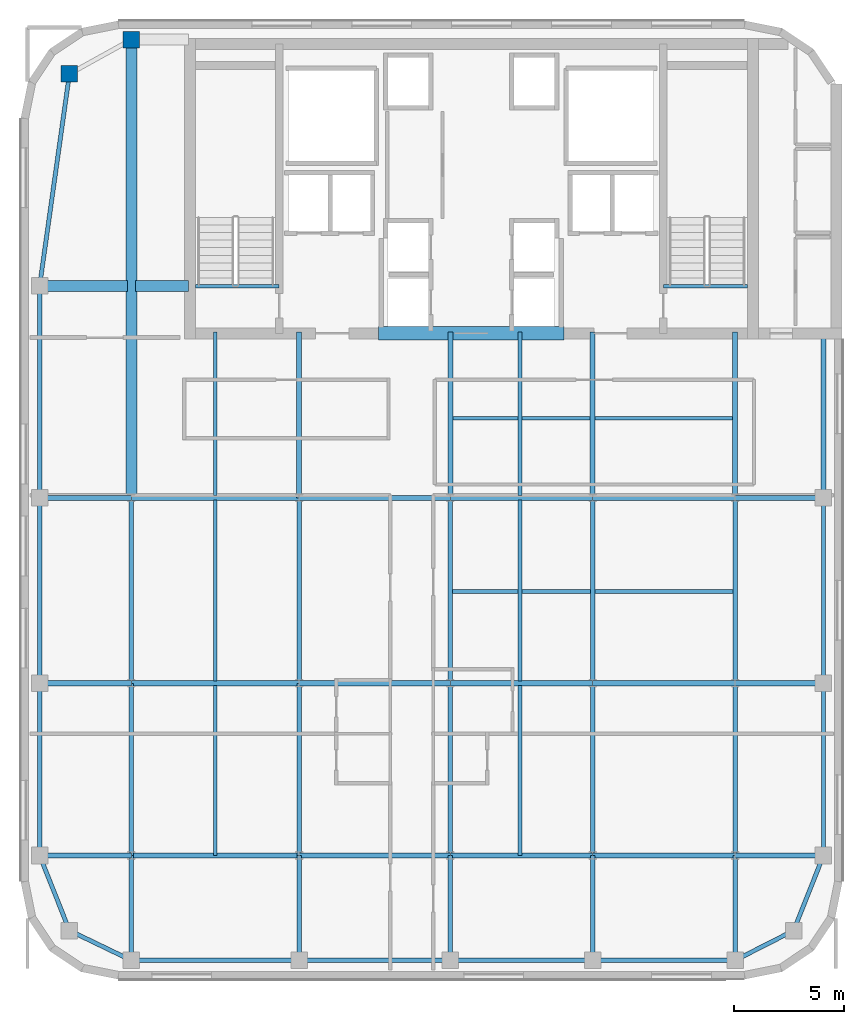
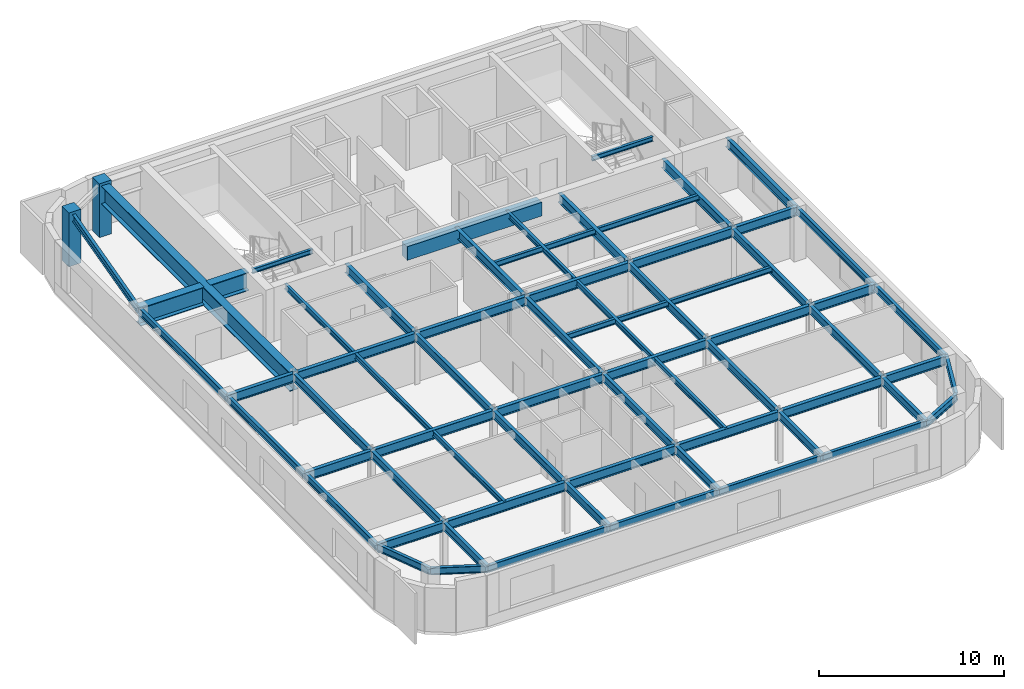
# One storey, part 2 of 10: 66 beams, 2 columns.
"""IFC4 building model written with IfcOpenShell, lengths in metres."""

from ifc_helpers import new_model, si_unit, direction, frame, origin, origin_2d, place, context, subcontext, project, spatial, rectangle, i_section, extrude, source, transform, mapped, material, material_profile, profile_set, type_object, type_shapes, element, save


model = new_model("IFC4")

# Units and contexts
model_context = context("Model", 3, precision=1e-05, world=origin(), true_north=direction((0.0, 1.0)))
body_context = subcontext(model_context, "Body", "Model", "MODEL_VIEW")
ifc_project = project(units=[si_unit("LENGTHUNIT", "METRE"), si_unit("AREAUNIT", "SQUARE_METRE"), si_unit("VOLUMEUNIT", "CUBIC_METRE"), si_unit("PLANEANGLEUNIT", "RADIAN"), si_unit("MASSUNIT", "GRAM", prefix="KILO")], contexts=[model_context])

# Site, building, storey
site_placement = place(None, origin())
site = spatial("IfcSite", under=ifc_project, at=site_placement, CompositionType="ELEMENT")
building_placement = place(site_placement, origin())
building = spatial("IfcBuilding", under=site, at=building_placement, Name="Tolvann Quenvar Hotel", CompositionType="ELEMENT")
storey_placement = place(building_placement, frame((0.0, 0.0, 220.35009765625)))
storey = spatial("IfcBuildingStorey", under=building, at=storey_placement, Name="L58", CompositionType="ELEMENT", Elevation=220.35009765625)

# Columns
ifc_material_1 = material(Name="Concrete N50 (50 MPa)", Category="concrete")
ifc_material_profile_1 = material_profile(ifc_material_1, rectangle(XDim=0.75, YDim=0.75, at=origin_2d()), Name="RC750x750")
ifc_profile_set_1 = profile_set([ifc_material_profile_1], Name="Concrete N50 (50 MPa)")
column_type = type_object("IfcColumnType", Name="COL_RC750", PredefinedType="COLUMN", material=ifc_profile_set_1)
shared_shape_1 = source(origin(), body_context, "Body", "SweptSolid", [
    extrude(rectangle(XDim=0.75, YDim=0.75, at=origin_2d()), origin(), (0.0, 0.0, 1.0), 3.5498046875),
])
type_shapes(column_type, [shared_shape_1])
for number, where, z_axis, x_axis, name in (
    (1, (4.800048828125, 43.60009765625, 0.0), (0.0, 0.0, 1.0), (1.0, 0.0, 0.0), "Column BN (L58)"),
    (2, (7.60009765625, 45.14990234375, 0.0), (0.0, 0.0, 1.0), (1.0, 0.0, 0.0), "Column CN (L58)"),
):
    element("IfcColumn", number, at=place(storey_placement, frame(where, z_axis=z_axis, x_axis=x_axis)), inside=storey, type_object=column_type, Name=name, PredefinedType="COLUMN", context=body_context, shape_type="MappedRepresentation", body=[
        mapped(shared_shape_1, transform((0.0, 0.0, 0.0), x_axis=(1.0, 0.0, 0.0), y_axis=(0.0, 1.0, 0.0), z_axis=(0.0, 0.0, 1.0), scale=1.0)),
    ])

# Beams
ifc_material_profile_2 = material_profile(ifc_material_1, rectangle(XDim=0.60009765625, YDim=0.89990234375, at=origin_2d()), Name="RC600x900")
ifc_profile_set_2 = profile_set([ifc_material_profile_2], Name="Concrete N50 (50 MPa)")
beam_type_1 = type_object("IfcBeamType", Name="BM_LINT_RC600x900", PredefinedType="LINTEL", material=ifc_profile_set_2)
shared_shape_2 = source(origin(), body_context, "Body", "SweptSolid", [
    extrude(rectangle(XDim=0.60009765625, YDim=0.89990234375, at=origin_2d()), origin(), (0.0, 0.0, 1.0), 8.39990234375),
])
type_shapes(beam_type_1, [shared_shape_2])
beam_1_placement = place(storey_placement, frame((18.800048828125, 31.85009765625, 2.919921875), z_axis=(1.0, 0.0, 0.0), x_axis=(0.0, 1.0, 0.0)))
element("IfcBeam", 3, at=beam_1_placement, inside=storey, type_object=beam_type_1, Name="Core Coupling Lintel Beam (L58)", PredefinedType="LINTEL", context=body_context, shape_type="MappedRepresentation", body=[
    mapped(shared_shape_2, transform((0.0, 0.0, 0.0), x_axis=(1.0, 0.0, 0.0), y_axis=(0.0, 1.0, 0.0), z_axis=(0.0, 0.0, 1.0), scale=1.0)),
])
ifc_material_2 = material(Name="Steel Grade 350", Category="steel")
ifc_material_profile_3 = material_profile(ifc_material_2, i_section(OverallWidth=0.208984375, OverallDepth=0.532958984375, WebThickness=0.01025390625, FlangeThickness=0.015625, FilletRadius=0.013916015625, at=origin_2d()), Name="530UB92")
ifc_profile_set_3 = profile_set([ifc_material_profile_3], Name="Steel Grade 350")
beam_type_2 = type_object("IfcBeamType", Name="BM_GIRD_530UB92", PredefinedType="BEAM", material=ifc_profile_set_3)
shared_shape_3 = source(origin(), body_context, "Body", "SweptSolid", [
    extrude(i_section(OverallWidth=0.208984375, OverallDepth=0.532958984375, WebThickness=0.01025390625, FlangeThickness=0.015625, FilletRadius=0.013916015625, at=origin_2d()), origin(), (0.0, 0.0, 1.0), 7.800048828125),
])
for number, where, z_axis, x_axis, name in (
    (4, (7.60009765625, 8.199951171875, 3.103515625), (0.0, 1.0, 0.0), (-1.0, 0.0, 0.0), "BM-L58-NS-C3-C4"),
    (5, (15.199951171875, 8.199951171875, 3.103515625), (0.0, 1.0, 0.0), (-1.0, 0.0, 0.0), "BM-L58-NS-D3-D4"),
    (6, (22.050048828125, 8.199951171875, 3.103515625), (0.0, 1.0, 0.0), (-1.0, 0.0, 0.0), "BM-L58-NS-E3-E4"),
    (7, (34.949951171875, 8.199951171875, 3.103515625), (0.0, 1.0, 0.0), (-1.0, 0.0, 0.0), "BM-L58-NS-F3-F4"),
    (8, (28.5, 8.199951171875, 3.103515625), (0.0, 1.0, 0.0), (-1.0, 0.0, 0.0), "BM-L58-NS-M3-M4"),
):
    element("IfcBeam", number, at=place(storey_placement, frame(where, z_axis=z_axis, x_axis=x_axis)), inside=storey, type_object=beam_type_2, Name=name, PredefinedType="BEAM", context=body_context, shape_type="MappedRepresentation", body=[
        mapped(shared_shape_3, transform((0.0, 0.0, 0.0), x_axis=(1.0, 0.0, 0.0), y_axis=(0.0, 1.0, 0.0), z_axis=(0.0, 0.0, 1.0), scale=1.0)),
    ])
shared_shape_4 = source(origin(), body_context, "Body", "SweptSolid", [
    extrude(i_section(OverallWidth=0.208984375, OverallDepth=0.532958984375, WebThickness=0.01025390625, FlangeThickness=0.015625, FilletRadius=0.013916015625, at=origin_2d()), origin(), (0.0, 0.0, 1.0), 8.39990234375),
])
for number, where, z_axis, x_axis, name in (
    (9, (7.60009765625, 16.0, 3.103515625), (0.0, 1.0, 0.0), (-1.0, 0.0, 0.0), "BM-L58-NS-C4-C5"),
    (10, (15.199951171875, 16.0, 3.103515625), (0.0, 1.0, 0.0), (-1.0, 0.0, 0.0), "BM-L58-NS-D4-D5"),
    (11, (22.050048828125, 16.0, 3.103515625), (0.0, 1.0, 0.0), (-1.0, 0.0, 0.0), "BM-L58-NS-E4-E5"),
    (12, (34.949951171875, 16.0, 3.103515625), (0.0, 1.0, 0.0), (-1.0, 0.0, 0.0), "BM-L58-NS-F4-F5"),
    (13, (28.5, 16.0, 3.103515625), (0.0, 1.0, 0.0), (-1.0, 0.0, 0.0), "BM-L58-NS-M4-M5"),
):
    element("IfcBeam", number, at=place(storey_placement, frame(where, z_axis=z_axis, x_axis=x_axis)), inside=storey, type_object=beam_type_2, Name=name, PredefinedType="BEAM", context=body_context, shape_type="MappedRepresentation", body=[
        mapped(shared_shape_4, transform((0.0, 0.0, 0.0), x_axis=(1.0, 0.0, 0.0), y_axis=(0.0, 1.0, 0.0), z_axis=(0.0, 0.0, 1.0), scale=1.0)),
    ])
ifc_material_profile_4 = material_profile(ifc_material_2, i_section(OverallWidth=0.5, OverallDepth=1.199951171875, WebThickness=0.01611328125, FlangeThickness=0.0400390625, at=origin_2d()), Name="1200WB455")
ifc_profile_set_4 = profile_set([ifc_material_profile_4], Name="Steel Grade 350")
beam_type_3 = type_object("IfcBeamType", Name="BM_TG_1200WB455", PredefinedType="USERDEFINED", material=ifc_profile_set_4)
shared_shape_5 = source(origin(), body_context, "Body", "SweptSolid", [
    extrude(i_section(OverallWidth=0.5, OverallDepth=1.199951171875, WebThickness=0.01611328125, FlangeThickness=0.0400390625, at=origin_2d()), origin(), (0.0, 0.0, 1.0), 20.75),
])
beam_2_placement = place(storey_placement, frame((7.60009765625, 24.39990234375, 2.77001953125), z_axis=(0.0, 1.0, 0.0), x_axis=(-1.0, 0.0, 0.0)))
element("IfcBeam", 14, at=beam_2_placement, inside=storey, type_object=beam_type_3, Name="BM-L58-FLK-WC", ObjectType="TRANSFER GIRDER", PredefinedType="USERDEFINED", context=body_context, shape_type="MappedRepresentation", body=[
    mapped(shared_shape_5, transform((0.0, 0.0, 0.0), x_axis=(1.0, 0.0, 0.0), y_axis=(0.0, 1.0, 0.0), z_axis=(0.0, 0.0, 1.0), scale=1.0)),
])
shared_shape_6 = source(origin(), body_context, "Body", "SweptSolid", [
    extrude(i_section(OverallWidth=0.5, OverallDepth=1.199951171875, WebThickness=0.01611328125, FlangeThickness=0.0400390625, at=origin_2d()), origin(), (0.0, 0.0, 1.0), 2.419921875),
])
beam_3_placement = place(storey_placement, frame((7.780029296875, 34.0, 2.77001953125), z_axis=(1.0, 0.0, 0.0), x_axis=(0.0, 1.0, 0.0)))
element("IfcBeam", 15, at=beam_3_placement, inside=storey, type_object=beam_type_3, Name="BM-L58-CTW-MID2", ObjectType="TRANSFER GIRDER", PredefinedType="USERDEFINED", context=body_context, shape_type="MappedRepresentation", body=[
    mapped(shared_shape_6, transform((0.0, 0.0, 0.0), x_axis=(1.0, 0.0, 0.0), y_axis=(0.0, 1.0, 0.0), z_axis=(0.0, 0.0, 1.0), scale=1.0)),
])
ifc_material_profile_5 = material_profile(ifc_material_2, i_section(OverallWidth=0.166015625, OverallDepth=0.306884765625, WebThickness=0.006591796875, FlangeThickness=0.01171875, FilletRadius=0.011474609375, at=origin_2d()), Name="310UB46")
ifc_profile_set_5 = profile_set([ifc_material_profile_5], Name="Steel Grade 350")
beam_type_4 = type_object("IfcBeamType", Name="BM_JOIST_310UB46", PredefinedType="JOIST", material=ifc_profile_set_5)
shared_shape_7 = source(origin(), body_context, "Body", "SweptSolid", [
    extrude(i_section(OverallWidth=0.166015625, OverallDepth=0.306884765625, WebThickness=0.006591796875, FlangeThickness=0.01171875, FilletRadius=0.011474609375, at=origin_2d()), origin(), (0.0, 0.0, 1.0), 3.800048828125),
])
type_shapes(beam_type_4, [shared_shape_7])
for number, where, z_axis, x_axis, name in (
    (16, (10.5, 33.97998046875, 3.21630859375), (1.0, 0.0, 0.0), (0.0, 1.0, 0.0), "BM-HDR-STC1-L59"),
    (17, (31.699951171875, 33.97998046875, 3.21630859375), (1.0, 0.0, 0.0), (0.0, 1.0, 0.0), "BM-HDR-STC2-L59"),
):
    element("IfcBeam", number, at=place(storey_placement, frame(where, z_axis=z_axis, x_axis=x_axis)), inside=storey, type_object=beam_type_4, Name=name, PredefinedType="JOIST", context=body_context, shape_type="MappedRepresentation", body=[
        mapped(shared_shape_7, transform((0.0, 0.0, 0.0), x_axis=(1.0, 0.0, 0.0), y_axis=(0.0, 1.0, 0.0), z_axis=(0.0, 0.0, 1.0), scale=1.0)),
    ])
shared_shape_8 = source(origin(), body_context, "Body", "SweptSolid", [
    extrude(i_section(OverallWidth=0.5, OverallDepth=1.199951171875, WebThickness=0.01611328125, FlangeThickness=0.0400390625, at=origin_2d()), origin(), (0.0, 0.0, 1.0), 3.969970703125),
])
type_shapes(beam_type_3, [shared_shape_5, shared_shape_6, shared_shape_8])
beam_4_placement = place(storey_placement, frame((3.449951171875, 34.0, 2.77001953125), z_axis=(1.0, 0.0, 0.0), x_axis=(0.0, 1.0, 0.0)))
element("IfcBeam", 18, at=beam_4_placement, inside=storey, type_object=beam_type_3, Name="BM-L58-CTW-MID1", ObjectType="TRANSFER GIRDER", PredefinedType="USERDEFINED", context=body_context, shape_type="MappedRepresentation", body=[
    mapped(shared_shape_8, transform((0.0, 0.0, 0.0), x_axis=(1.0, 0.0, 0.0), y_axis=(0.0, 1.0, 0.0), z_axis=(0.0, 0.0, 1.0), scale=1.0)),
])
ifc_material_profile_6 = material_profile(ifc_material_2, i_section(OverallWidth=0.172119140625, OverallDepth=0.35888671875, WebThickness=0.008056640625, FlangeThickness=0.012939453125, FilletRadius=0.011474609375, at=origin_2d()), Name="360UB57")
ifc_profile_set_6 = profile_set([ifc_material_profile_6], Name="Steel Grade 350")
beam_type_5 = type_object("IfcBeamType", Name="BM_JOIST_360UB57", PredefinedType="JOIST", material=ifc_profile_set_6)
shared_shape_9 = source(origin(), body_context, "Body", "SweptSolid", [
    extrude(i_section(OverallWidth=0.172119140625, OverallDepth=0.35888671875, WebThickness=0.008056640625, FlangeThickness=0.012939453125, FilletRadius=0.011474609375, at=origin_2d()), origin(), (0.0, 0.0, 1.0), 12.89990234375),
])
for number, where, z_axis, x_axis, name in (
    (19, (22.050048828125, 20.14990234375, 3.1904296875), (1.0, 0.0, 0.0), (0.0, 1.0, 0.0), "BM-L58-SPINE-20"),
    (20, (22.050048828125, 28.0, 3.1904296875), (1.0, 0.0, 0.0), (0.0, 1.0, 0.0), "BM-L58-SPINE-28"),
):
    element("IfcBeam", number, at=place(storey_placement, frame(where, z_axis=z_axis, x_axis=x_axis)), inside=storey, type_object=beam_type_5, Name=name, PredefinedType="JOIST", context=body_context, shape_type="MappedRepresentation", body=[
        mapped(shared_shape_9, transform((0.0, 0.0, 0.0), x_axis=(1.0, 0.0, 0.0), y_axis=(0.0, 1.0, 0.0), z_axis=(0.0, 0.0, 1.0), scale=1.0)),
    ])
ifc_material_profile_7 = material_profile(ifc_material_2, i_section(OverallWidth=0.22802734375, OverallDepth=0.60205078125, WebThickness=0.010498046875, FlangeThickness=0.014892578125, FilletRadius=0.013916015625, at=origin_2d()), Name="610UB101")
ifc_profile_set_7 = profile_set([ifc_material_profile_7], Name="Steel Grade 350")
beam_type_6 = type_object("IfcBeamType", Name="BM_GIRD_610UB101", PredefinedType="BEAM", material=ifc_profile_set_7)
shared_shape_10 = source(origin(), body_context, "Body", "SweptSolid", [
    extrude(i_section(OverallWidth=0.22802734375, OverallDepth=0.60205078125, WebThickness=0.010498046875, FlangeThickness=0.014892578125, FilletRadius=0.013916015625, at=origin_2d()), origin(), (0.0, 0.0, 1.0), 4.150146484375),
])
for number, where, z_axis, x_axis, name in (
    (21, (3.449951171875, 8.199951171875, 3.06884765625), (1.0, 0.0, 0.0), (0.0, 1.0, 0.0), "BM-L58-EW-3-B3-C3"),
    (22, (3.449951171875, 16.0, 3.06884765625), (1.0, 0.0, 0.0), (0.0, 1.0, 0.0), "BM-L58-EW-4-B4-C4"),
    (23, (3.449951171875, 24.39990234375, 3.06884765625), (1.0, 0.0, 0.0), (0.0, 1.0, 0.0), "BM-L58-EW-5-B5-C5"),
):
    element("IfcBeam", number, at=place(storey_placement, frame(where, z_axis=z_axis, x_axis=x_axis)), inside=storey, type_object=beam_type_6, Name=name, PredefinedType="BEAM", context=body_context, shape_type="MappedRepresentation", body=[
        mapped(shared_shape_10, transform((0.0, 0.0, 0.0), x_axis=(1.0, 0.0, 0.0), y_axis=(0.0, 1.0, 0.0), z_axis=(0.0, 0.0, 1.0), scale=1.0)),
    ])
shared_shape_11 = source(origin(), body_context, "Body", "SweptSolid", [
    extrude(i_section(OverallWidth=0.22802734375, OverallDepth=0.60205078125, WebThickness=0.010498046875, FlangeThickness=0.014892578125, FilletRadius=0.013916015625, at=origin_2d()), origin(), (0.0, 0.0, 1.0), 7.599853515625),
])
for number, where, z_axis, x_axis, name in (
    (24, (7.60009765625, 8.199951171875, 3.06884765625), (1.0, 0.0, 0.0), (0.0, 1.0, 0.0), "BM-L58-EW-3-C3-D3"),
    (25, (7.60009765625, 16.0, 3.06884765625), (1.0, 0.0, 0.0), (0.0, 1.0, 0.0), "BM-L58-EW-4-C4-D4"),
    (26, (7.60009765625, 24.39990234375, 3.06884765625), (1.0, 0.0, 0.0), (0.0, 1.0, 0.0), "BM-L58-EW-5-C5-D5"),
):
    element("IfcBeam", number, at=place(storey_placement, frame(where, z_axis=z_axis, x_axis=x_axis)), inside=storey, type_object=beam_type_6, Name=name, PredefinedType="BEAM", context=body_context, shape_type="MappedRepresentation", body=[
        mapped(shared_shape_11, transform((0.0, 0.0, 0.0), x_axis=(1.0, 0.0, 0.0), y_axis=(0.0, 1.0, 0.0), z_axis=(0.0, 0.0, 1.0), scale=1.0)),
    ])
shared_shape_12 = source(origin(), body_context, "Body", "SweptSolid", [
    extrude(i_section(OverallWidth=0.22802734375, OverallDepth=0.60205078125, WebThickness=0.010498046875, FlangeThickness=0.014892578125, FilletRadius=0.013916015625, at=origin_2d()), origin(), (0.0, 0.0, 1.0), 6.85009765625),
])
for number, where, z_axis, x_axis, name in (
    (27, (15.199951171875, 8.199951171875, 3.06884765625), (1.0, 0.0, 0.0), (0.0, 1.0, 0.0), "BM-L58-EW-3-D3-E3"),
    (28, (15.199951171875, 16.0, 3.06884765625), (1.0, 0.0, 0.0), (0.0, 1.0, 0.0), "BM-L58-EW-4-D4-E4"),
    (29, (15.199951171875, 24.39990234375, 3.06884765625), (1.0, 0.0, 0.0), (0.0, 1.0, 0.0), "BM-L58-EW-5-D5-E5"),
):
    element("IfcBeam", number, at=place(storey_placement, frame(where, z_axis=z_axis, x_axis=x_axis)), inside=storey, type_object=beam_type_6, Name=name, PredefinedType="BEAM", context=body_context, shape_type="MappedRepresentation", body=[
        mapped(shared_shape_12, transform((0.0, 0.0, 0.0), x_axis=(1.0, 0.0, 0.0), y_axis=(0.0, 1.0, 0.0), z_axis=(0.0, 0.0, 1.0), scale=1.0)),
    ])
shared_shape_13 = source(origin(), body_context, "Body", "SweptSolid", [
    extrude(i_section(OverallWidth=0.22802734375, OverallDepth=0.60205078125, WebThickness=0.010498046875, FlangeThickness=0.014892578125, FilletRadius=0.013916015625, at=origin_2d()), origin(), (0.0, 0.0, 1.0), 6.449951171875),
])
for number, where, z_axis, x_axis, name in (
    (30, (22.050048828125, 8.199951171875, 3.06884765625), (1.0, 0.0, 0.0), (0.0, 1.0, 0.0), "BM-L58-EW-3-E3-M3"),
    (31, (28.5, 8.199951171875, 3.06884765625), (1.0, 0.0, 0.0), (0.0, 1.0, 0.0), "BM-L58-EW-3-M3-F3"),
    (32, (22.050048828125, 16.0, 3.06884765625), (1.0, 0.0, 0.0), (0.0, 1.0, 0.0), "BM-L58-EW-4-E4-M4"),
    (33, (28.5, 16.0, 3.06884765625), (1.0, 0.0, 0.0), (0.0, 1.0, 0.0), "BM-L58-EW-4-M4-F4"),
    (34, (22.050048828125, 24.39990234375, 3.06884765625), (1.0, 0.0, 0.0), (0.0, 1.0, 0.0), "BM-L58-EW-5-E5-M5"),
    (35, (28.5, 24.39990234375, 3.06884765625), (1.0, 0.0, 0.0), (0.0, 1.0, 0.0), "BM-L58-EW-5-M5-F5"),
):
    element("IfcBeam", number, at=place(storey_placement, frame(where, z_axis=z_axis, x_axis=x_axis)), inside=storey, type_object=beam_type_6, Name=name, PredefinedType="BEAM", context=body_context, shape_type="MappedRepresentation", body=[
        mapped(shared_shape_13, transform((0.0, 0.0, 0.0), x_axis=(1.0, 0.0, 0.0), y_axis=(0.0, 1.0, 0.0), z_axis=(0.0, 0.0, 1.0), scale=1.0)),
    ])
shared_shape_14 = source(origin(), body_context, "Body", "SweptSolid", [
    extrude(i_section(OverallWidth=0.208984375, OverallDepth=0.532958984375, WebThickness=0.01025390625, FlangeThickness=0.015625, FilletRadius=0.013916015625, at=origin_2d()), origin(), (0.0, 0.0, 1.0), 4.75),
])
type_shapes(beam_type_2, [shared_shape_3, shared_shape_4, shared_shape_14])
for number, where, z_axis, x_axis, name in (
    (36, (7.60009765625, 3.449951171875, 3.103515625), (0.0, 1.0, 0.0), (-1.0, 0.0, 0.0), "BM-L58-NS-C2-C3"),
    (37, (15.199951171875, 3.449951171875, 3.103515625), (0.0, 1.0, 0.0), (-1.0, 0.0, 0.0), "BM-L58-NS-D2-D3"),
    (38, (22.050048828125, 3.449951171875, 3.103515625), (0.0, 1.0, 0.0), (-1.0, 0.0, 0.0), "BM-L58-NS-E2-E3"),
    (39, (34.949951171875, 3.449951171875, 3.103515625), (0.0, 1.0, 0.0), (-1.0, 0.0, 0.0), "BM-L58-NS-F2-F3"),
    (40, (28.5, 3.449951171875, 3.103515625), (0.0, 1.0, 0.0), (-1.0, 0.0, 0.0), "BM-L58-NS-M2-M3"),
):
    element("IfcBeam", number, at=place(storey_placement, frame(where, z_axis=z_axis, x_axis=x_axis)), inside=storey, type_object=beam_type_2, Name=name, PredefinedType="BEAM", context=body_context, shape_type="MappedRepresentation", body=[
        mapped(shared_shape_14, transform((0.0, 0.0, 0.0), x_axis=(1.0, 0.0, 0.0), y_axis=(0.0, 1.0, 0.0), z_axis=(0.0, 0.0, 1.0), scale=1.0)),
    ])
shared_shape_15 = source(origin(), body_context, "Body", "SweptSolid", [
    extrude(i_section(OverallWidth=0.22802734375, OverallDepth=0.60205078125, WebThickness=0.010498046875, FlangeThickness=0.014892578125, FilletRadius=0.013916015625, at=origin_2d()), origin(), (0.0, 0.0, 1.0), 7.5),
])
for number, where, z_axis, x_axis, name in (
    (41, (15.199951171875, 24.39990234375, 3.06884765625), (0.0, 1.0, 0.0), (-1.0, 0.0, 0.0), "BM-L58-CORE-D5"),
    (42, (22.050048828125, 24.39990234375, 3.06884765625), (0.0, 1.0, 0.0), (-1.0, 0.0, 0.0), "BM-L58-CORE-E5"),
    (43, (34.949951171875, 24.39990234375, 3.06884765625), (0.0, 1.0, 0.0), (-1.0, 0.0, 0.0), "BM-L58-CORE-F5"),
    (44, (38.949951171875, 24.39990234375, 3.06884765625), (0.0, 1.0, 0.0), (-1.0, 0.0, 0.0), "BM-L58-CORE-G5"),
    (45, (28.5, 24.39990234375, 3.06884765625), (0.0, 1.0, 0.0), (-1.0, 0.0, 0.0), "BM-L58-CORE-M5"),
):
    element("IfcBeam", number, at=place(storey_placement, frame(where, z_axis=z_axis, x_axis=x_axis)), inside=storey, type_object=beam_type_6, Name=name, PredefinedType="BEAM", context=body_context, shape_type="MappedRepresentation", body=[
        mapped(shared_shape_15, transform((0.0, 0.0, 0.0), x_axis=(1.0, 0.0, 0.0), y_axis=(0.0, 1.0, 0.0), z_axis=(0.0, 0.0, 1.0), scale=1.0)),
    ])
shared_shape_16 = source(origin(), body_context, "Body", "SweptSolid", [
    extrude(i_section(OverallWidth=0.172119140625, OverallDepth=0.35888671875, WebThickness=0.008056640625, FlangeThickness=0.012939453125, FilletRadius=0.011474609375, at=origin_2d()), origin(), (0.0, 0.0, 1.0), 7.692138671875),
])
for number, where, z_axis, x_axis, name in (
    (46, (11.39990234375, 8.199951171875, 3.1904296875), (0.0, 1.0, 0.0), (-1.0, 0.0, 0.0), "BJ-L58-114-82"),
    (47, (25.199951171875, 8.199951171875, 3.1904296875), (0.0, 1.0, 0.0), (-1.0, 0.0, 0.0), "BJ-L58-252-82"),
):
    element("IfcBeam", number, at=place(storey_placement, frame(where, z_axis=z_axis, x_axis=x_axis)), inside=storey, type_object=beam_type_5, Name=name, PredefinedType="JOIST", context=body_context, shape_type="MappedRepresentation", body=[
        mapped(shared_shape_16, transform((0.0, 0.0, 0.0), x_axis=(1.0, 0.0, 0.0), y_axis=(0.0, 1.0, 0.0), z_axis=(0.0, 0.0, 1.0), scale=1.0)),
    ])
shared_shape_17 = source(origin(), body_context, "Body", "SweptSolid", [
    extrude(i_section(OverallWidth=0.172119140625, OverallDepth=0.35888671875, WebThickness=0.008056640625, FlangeThickness=0.012939453125, FilletRadius=0.011474609375, at=origin_2d()), origin(), (0.0, 0.0, 1.0), 8.18408203125),
])
for number, where, z_axis, x_axis, name in (
    (48, (11.39990234375, 16.10791015625, 3.1904296875), (0.0, 1.0, 0.0), (-1.0, 0.0, 0.0), "BJ-L58-114-160"),
    (49, (25.199951171875, 16.10791015625, 3.1904296875), (0.0, 1.0, 0.0), (-1.0, 0.0, 0.0), "BJ-L58-252-160"),
):
    element("IfcBeam", number, at=place(storey_placement, frame(where, z_axis=z_axis, x_axis=x_axis)), inside=storey, type_object=beam_type_5, Name=name, PredefinedType="JOIST", context=body_context, shape_type="MappedRepresentation", body=[
        mapped(shared_shape_17, transform((0.0, 0.0, 0.0), x_axis=(1.0, 0.0, 0.0), y_axis=(0.0, 1.0, 0.0), z_axis=(0.0, 0.0, 1.0), scale=1.0)),
    ])
shared_shape_18 = source(origin(), body_context, "Body", "SweptSolid", [
    extrude(i_section(OverallWidth=0.172119140625, OverallDepth=0.35888671875, WebThickness=0.008056640625, FlangeThickness=0.012939453125, FilletRadius=0.011474609375, at=origin_2d()), origin(), (0.0, 0.0, 1.0), 7.391845703125),
])
type_shapes(beam_type_5, [shared_shape_9, shared_shape_16, shared_shape_17, shared_shape_18])
for number, where, z_axis, x_axis, name in (
    (50, (11.39990234375, 24.508056640625, 3.1904296875), (0.0, 1.0, 0.0), (-1.0, 0.0, 0.0), "BJ-L58-114-244"),
    (51, (25.199951171875, 24.508056640625, 3.1904296875), (0.0, 1.0, 0.0), (-1.0, 0.0, 0.0), "BJ-L58-252-244"),
):
    element("IfcBeam", number, at=place(storey_placement, frame(where, z_axis=z_axis, x_axis=x_axis)), inside=storey, type_object=beam_type_5, Name=name, PredefinedType="JOIST", context=body_context, shape_type="MappedRepresentation", body=[
        mapped(shared_shape_18, transform((0.0, 0.0, 0.0), x_axis=(1.0, 0.0, 0.0), y_axis=(0.0, 1.0, 0.0), z_axis=(0.0, 0.0, 1.0), scale=1.0)),
    ])
ifc_material_profile_8 = material_profile(ifc_material_2, i_section(OverallWidth=0.19091796875, OverallDepth=0.4599609375, WebThickness=0.010009765625, FlangeThickness=0.01611328125, FilletRadius=0.011474609375, at=origin_2d()), Name="460UB82")
ifc_profile_set_8 = profile_set([ifc_material_profile_8], Name="Steel Grade 350")
beam_type_7 = type_object("IfcBeamType", Name="BM_SPAND_460UB82", PredefinedType="SPANDREL", material=ifc_profile_set_8)
shared_shape_19 = source(origin(), body_context, "Body", "SweptSolid", [
    extrude(i_section(OverallWidth=0.19091796875, OverallDepth=0.4599609375, WebThickness=0.010009765625, FlangeThickness=0.01611328125, FilletRadius=0.011474609375, at=origin_2d()), origin(), (0.0, 0.0, 1.0), 3.108642578125),
])
beam_5_placement = place(storey_placement, frame((4.800048828125, 4.800048828125, 3.139892578125), z_axis=(0.900759354066, -0.434318530646, 0.0), x_axis=(0.434318530646, 0.900759354066, 0.0)))
element("IfcBeam", 52, at=beam_5_placement, inside=storey, type_object=beam_type_7, Name="BM-L58-EW-2-B2-C2", PredefinedType="SPANDREL", context=body_context, shape_type="MappedRepresentation", body=[
    mapped(shared_shape_19, transform((0.0, 0.0, 0.0), x_axis=(1.0, 0.0, 0.0), y_axis=(0.0, 1.0, 0.0), z_axis=(0.0, 0.0, 1.0), scale=1.0)),
])
shared_shape_20 = source(origin(), body_context, "Body", "SweptSolid", [
    extrude(i_section(OverallWidth=0.19091796875, OverallDepth=0.4599609375, WebThickness=0.010009765625, FlangeThickness=0.01611328125, FilletRadius=0.011474609375, at=origin_2d()), origin(), (0.0, 0.0, 1.0), 7.599853515625),
])
beam_6_placement = place(storey_placement, frame((7.60009765625, 3.449951171875, 3.139892578125), z_axis=(1.0, 0.0, 0.0), x_axis=(0.0, 1.0, 0.0)))
element("IfcBeam", 53, at=beam_6_placement, inside=storey, type_object=beam_type_7, Name="BM-L58-EW-2-C2-D2", PredefinedType="SPANDREL", context=body_context, shape_type="MappedRepresentation", body=[
    mapped(shared_shape_20, transform((0.0, 0.0, 0.0), x_axis=(1.0, 0.0, 0.0), y_axis=(0.0, 1.0, 0.0), z_axis=(0.0, 0.0, 1.0), scale=1.0)),
])
shared_shape_21 = source(origin(), body_context, "Body", "SweptSolid", [
    extrude(i_section(OverallWidth=0.19091796875, OverallDepth=0.4599609375, WebThickness=0.010009765625, FlangeThickness=0.01611328125, FilletRadius=0.011474609375, at=origin_2d()), origin(), (0.0, 0.0, 1.0), 6.85009765625),
])
beam_7_placement = place(storey_placement, frame((15.199951171875, 3.449951171875, 3.139892578125), z_axis=(1.0, 0.0, 0.0), x_axis=(0.0, 1.0, 0.0)))
element("IfcBeam", 54, at=beam_7_placement, inside=storey, type_object=beam_type_7, Name="BM-L58-EW-2-D2-E2", PredefinedType="SPANDREL", context=body_context, shape_type="MappedRepresentation", body=[
    mapped(shared_shape_21, transform((0.0, 0.0, 0.0), x_axis=(1.0, 0.0, 0.0), y_axis=(0.0, 1.0, 0.0), z_axis=(0.0, 0.0, 1.0), scale=1.0)),
])
shared_shape_22 = source(origin(), body_context, "Body", "SweptSolid", [
    extrude(i_section(OverallWidth=0.19091796875, OverallDepth=0.4599609375, WebThickness=0.010009765625, FlangeThickness=0.01611328125, FilletRadius=0.011474609375, at=origin_2d()), origin(), (0.0, 0.0, 1.0), 6.449951171875),
])
for number, where, z_axis, x_axis, name in (
    (55, (22.050048828125, 3.449951171875, 3.139892578125), (1.0, 0.0, 0.0), (0.0, 1.0, 0.0), "BM-L58-EW-2-E2-M2"),
    (56, (28.5, 3.449951171875, 3.139892578125), (1.0, 0.0, 0.0), (0.0, 1.0, 0.0), "BM-L58-EW-2-M2-F2"),
):
    element("IfcBeam", number, at=place(storey_placement, frame(where, z_axis=z_axis, x_axis=x_axis)), inside=storey, type_object=beam_type_7, Name=name, PredefinedType="SPANDREL", context=body_context, shape_type="MappedRepresentation", body=[
        mapped(shared_shape_22, transform((0.0, 0.0, 0.0), x_axis=(1.0, 0.0, 0.0), y_axis=(0.0, 1.0, 0.0), z_axis=(0.0, 0.0, 1.0), scale=1.0)),
    ])
shared_shape_23 = source(origin(), body_context, "Body", "SweptSolid", [
    extrude(i_section(OverallWidth=0.19091796875, OverallDepth=0.4599609375, WebThickness=0.010009765625, FlangeThickness=0.01611328125, FilletRadius=0.011474609375, at=origin_2d()), origin(), (0.0, 0.0, 1.0), 2.97412109375),
])
beam_8_placement = place(storey_placement, frame((34.949951171875, 3.449951171875, 3.139892578125), z_axis=(0.891036364695, 0.453931929688, 0.0), x_axis=(-0.453931929688, 0.891036364695, 0.0)))
element("IfcBeam", 57, at=beam_8_placement, inside=storey, type_object=beam_type_7, Name="BM-L58-EW-2-F2-G2", PredefinedType="SPANDREL", context=body_context, shape_type="MappedRepresentation", body=[
    mapped(shared_shape_23, transform((0.0, 0.0, 0.0), x_axis=(1.0, 0.0, 0.0), y_axis=(0.0, 1.0, 0.0), z_axis=(0.0, 0.0, 1.0), scale=1.0)),
])
shared_shape_24 = source(origin(), body_context, "Body", "SweptSolid", [
    extrude(i_section(OverallWidth=0.22802734375, OverallDepth=0.60205078125, WebThickness=0.010498046875, FlangeThickness=0.014892578125, FilletRadius=0.013916015625, at=origin_2d()), origin(), (0.0, 0.0, 1.0), 4.0),
])
type_shapes(beam_type_6, [shared_shape_10, shared_shape_11, shared_shape_12, shared_shape_13, shared_shape_15, shared_shape_24])
for number, where, z_axis, x_axis, name in (
    (58, (34.949951171875, 8.199951171875, 3.06884765625), (1.0, 0.0, 0.0), (0.0, 1.0, 0.0), "BM-L58-EW-3-F3-G3"),
    (59, (34.949951171875, 16.0, 3.06884765625), (1.0, 0.0, 0.0), (0.0, 1.0, 0.0), "BM-L58-EW-4-F4-G4"),
    (60, (34.949951171875, 24.39990234375, 3.06884765625), (1.0, 0.0, 0.0), (0.0, 1.0, 0.0), "BM-L58-EW-5-F5-G5"),
):
    element("IfcBeam", number, at=place(storey_placement, frame(where, z_axis=z_axis, x_axis=x_axis)), inside=storey, type_object=beam_type_6, Name=name, PredefinedType="BEAM", context=body_context, shape_type="MappedRepresentation", body=[
        mapped(shared_shape_24, transform((0.0, 0.0, 0.0), x_axis=(1.0, 0.0, 0.0), y_axis=(0.0, 1.0, 0.0), z_axis=(0.0, 0.0, 1.0), scale=1.0)),
    ])
shared_shape_25 = source(origin(), body_context, "Body", "SweptSolid", [
    extrude(i_section(OverallWidth=0.19091796875, OverallDepth=0.4599609375, WebThickness=0.010009765625, FlangeThickness=0.01611328125, FilletRadius=0.011474609375, at=origin_2d()), origin(), (0.0, 0.0, 1.0), 3.658203125),
])
beam_9_placement = place(storey_placement, frame((4.800048828125, 4.800048828125, 3.139892578125), z_axis=(-0.369065163807, 0.929403521009, 0.0), x_axis=(-0.929403521009, -0.369065163807, 0.0)))
element("IfcBeam", 61, at=beam_9_placement, inside=storey, type_object=beam_type_7, Name="BM-L58-NS-B2-B3", PredefinedType="SPANDREL", context=body_context, shape_type="MappedRepresentation", body=[
    mapped(shared_shape_25, transform((0.0, 0.0, 0.0), x_axis=(1.0, 0.0, 0.0), y_axis=(0.0, 1.0, 0.0), z_axis=(0.0, 0.0, 1.0), scale=1.0)),
])
shared_shape_26 = source(origin(), body_context, "Body", "SweptSolid", [
    extrude(i_section(OverallWidth=0.19091796875, OverallDepth=0.4599609375, WebThickness=0.010009765625, FlangeThickness=0.01611328125, FilletRadius=0.011474609375, at=origin_2d()), origin(), (0.0, 0.0, 1.0), 7.800048828125),
])
for number, where, z_axis, x_axis, name in (
    (62, (3.449951171875, 8.199951171875, 3.139892578125), (0.0, 1.0, 0.0), (-1.0, 0.0, 0.0), "BM-L58-NS-B3-B4"),
    (63, (38.949951171875, 8.199951171875, 3.139892578125), (0.0, 1.0, 0.0), (-1.0, 0.0, 0.0), "BM-L58-NS-G3-G4"),
):
    element("IfcBeam", number, at=place(storey_placement, frame(where, z_axis=z_axis, x_axis=x_axis)), inside=storey, type_object=beam_type_7, Name=name, PredefinedType="SPANDREL", context=body_context, shape_type="MappedRepresentation", body=[
        mapped(shared_shape_26, transform((0.0, 0.0, 0.0), x_axis=(1.0, 0.0, 0.0), y_axis=(0.0, 1.0, 0.0), z_axis=(0.0, 0.0, 1.0), scale=1.0)),
    ])
shared_shape_27 = source(origin(), body_context, "Body", "SweptSolid", [
    extrude(i_section(OverallWidth=0.19091796875, OverallDepth=0.4599609375, WebThickness=0.010009765625, FlangeThickness=0.01611328125, FilletRadius=0.011474609375, at=origin_2d()), origin(), (0.0, 0.0, 1.0), 8.39990234375),
])
for number, where, z_axis, x_axis, name in (
    (64, (3.449951171875, 16.0, 3.139892578125), (0.0, 1.0, 0.0), (-1.0, 0.0, 0.0), "BM-L58-NS-B4-B5"),
    (65, (38.949951171875, 16.0, 3.139892578125), (0.0, 1.0, 0.0), (-1.0, 0.0, 0.0), "BM-L58-NS-G4-G5"),
):
    element("IfcBeam", number, at=place(storey_placement, frame(where, z_axis=z_axis, x_axis=x_axis)), inside=storey, type_object=beam_type_7, Name=name, PredefinedType="SPANDREL", context=body_context, shape_type="MappedRepresentation", body=[
        mapped(shared_shape_27, transform((0.0, 0.0, 0.0), x_axis=(1.0, 0.0, 0.0), y_axis=(0.0, 1.0, 0.0), z_axis=(0.0, 0.0, 1.0), scale=1.0)),
    ])
shared_shape_28 = source(origin(), body_context, "Body", "SweptSolid", [
    extrude(i_section(OverallWidth=0.19091796875, OverallDepth=0.4599609375, WebThickness=0.010009765625, FlangeThickness=0.01611328125, FilletRadius=0.011474609375, at=origin_2d()), origin(), (0.0, 0.0, 1.0), 3.657958984375),
])
beam_10_placement = place(storey_placement, frame((37.60009765625, 4.800048828125, 3.139892578125), z_axis=(0.369007513371, 0.929426411867, 0.0), x_axis=(-0.929426411867, 0.369007513371, 0.0)))
element("IfcBeam", 66, at=beam_10_placement, inside=storey, type_object=beam_type_7, Name="BM-L58-NS-G2-G3", PredefinedType="SPANDREL", context=body_context, shape_type="MappedRepresentation", body=[
    mapped(shared_shape_28, transform((0.0, 0.0, 0.0), x_axis=(1.0, 0.0, 0.0), y_axis=(0.0, 1.0, 0.0), z_axis=(0.0, 0.0, 1.0), scale=1.0)),
])
shared_shape_29 = source(origin(), body_context, "Body", "SweptSolid", [
    extrude(i_section(OverallWidth=0.19091796875, OverallDepth=0.4599609375, WebThickness=0.010009765625, FlangeThickness=0.01611328125, FilletRadius=0.011474609375, at=origin_2d()), origin(), (0.0, 0.0, 1.0), 9.60009765625),
])
beam_11_placement = place(storey_placement, frame((3.449951171875, 24.39990234375, 3.139892578125), z_axis=(0.0, 1.0, 0.0), x_axis=(-1.0, 0.0, 0.0)))
element("IfcBeam", 67, at=beam_11_placement, inside=storey, type_object=beam_type_7, Name="BM-L58-FLK-W1", PredefinedType="SPANDREL", context=body_context, shape_type="MappedRepresentation", body=[
    mapped(shared_shape_29, transform((0.0, 0.0, 0.0), x_axis=(1.0, 0.0, 0.0), y_axis=(0.0, 1.0, 0.0), z_axis=(0.0, 0.0, 1.0), scale=1.0)),
])
shared_shape_30 = source(origin(), body_context, "Body", "SweptSolid", [
    extrude(i_section(OverallWidth=0.19091796875, OverallDepth=0.4599609375, WebThickness=0.010009765625, FlangeThickness=0.01611328125, FilletRadius=0.011474609375, at=origin_2d()), origin(), (0.0, 0.0, 1.0), 9.694580078125),
])
type_shapes(beam_type_7, [shared_shape_19, shared_shape_20, shared_shape_21, shared_shape_22, shared_shape_23, shared_shape_25, shared_shape_26, shared_shape_27, shared_shape_28, shared_shape_29, shared_shape_30])
beam_12_placement = place(storey_placement, frame((3.449951171875, 34.0, 3.139892578125), z_axis=(0.139263320262, 0.990255385055, 0.0), x_axis=(-0.990255385055, 0.139263320262, 0.0)))
element("IfcBeam", 68, at=beam_12_placement, inside=storey, type_object=beam_type_7, Name="BM-L58-FLK-W2", PredefinedType="SPANDREL", context=body_context, shape_type="MappedRepresentation", body=[
    mapped(shared_shape_30, transform((0.0, 0.0, 0.0), x_axis=(1.0, 0.0, 0.0), y_axis=(0.0, 1.0, 0.0), z_axis=(0.0, 0.0, 1.0), scale=1.0)),
])

save(model, "model.ifc")
